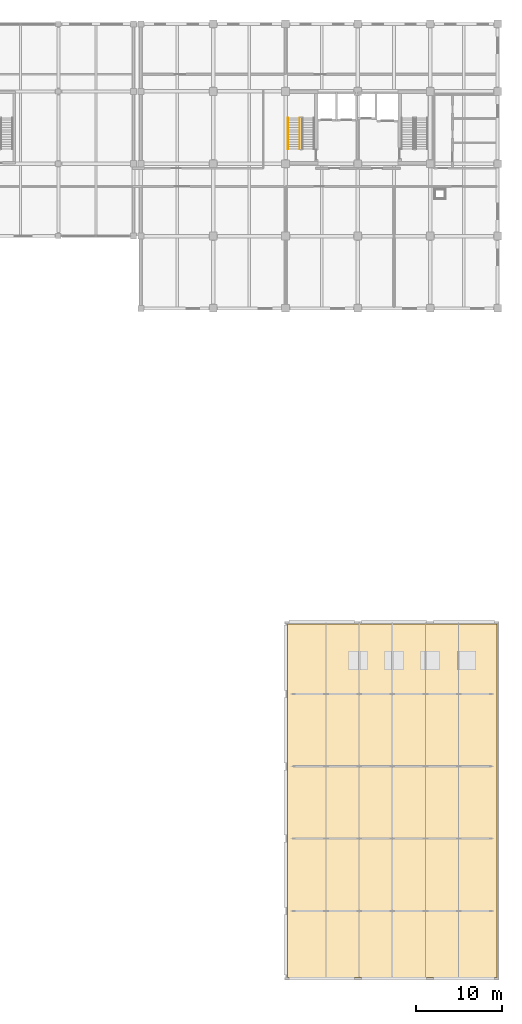
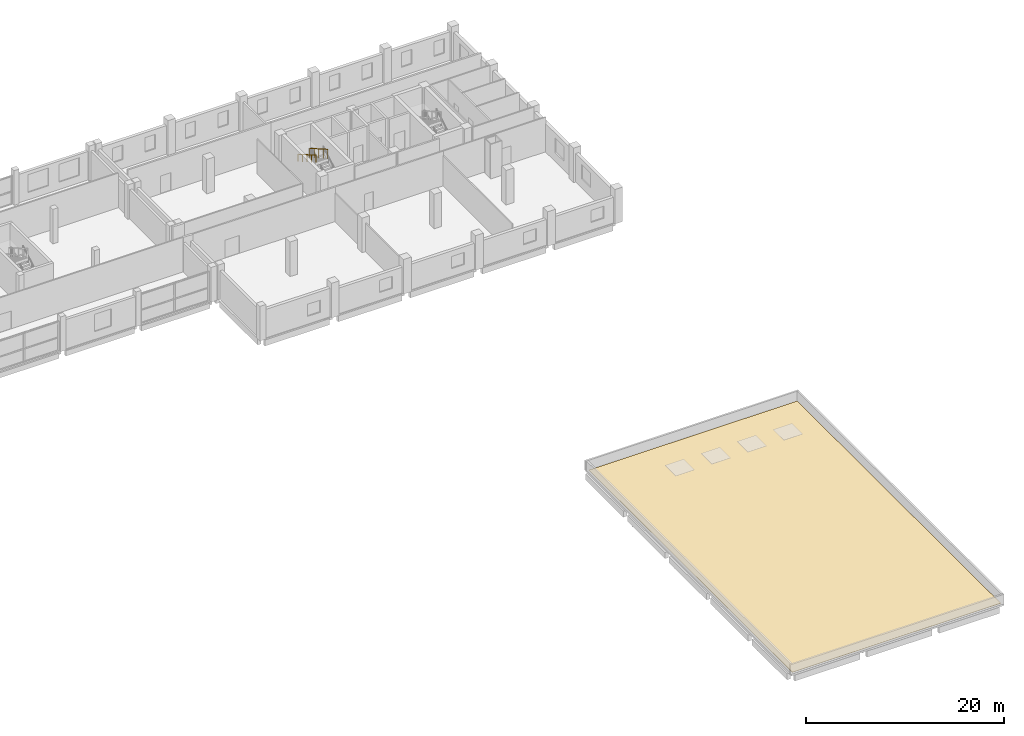
# One storey, part 37 of 38: 2 railings, 1 covering.
"""IFC4 building model written with IfcOpenShell, lengths in metres."""

from ifc_helpers import new_model, si_unit, direction, frame, origin, origin_2d, place, context, subcontext, project, spatial, polyline, circle, outline, extrude, material, layer, layer_set, type_object, element, save


model = new_model("IFC4")

# Units and contexts
model_context = context("Model", 3, precision=1e-05, world=origin(), true_north=direction((0.0, 1.0)))
body_context = subcontext(model_context, "Body", "Model", "MODEL_VIEW")
ifc_project = project(units=[si_unit("LENGTHUNIT", "METRE"), si_unit("AREAUNIT", "SQUARE_METRE"), si_unit("VOLUMEUNIT", "CUBIC_METRE"), si_unit("PLANEANGLEUNIT", "RADIAN"), si_unit("MASSUNIT", "GRAM", prefix="KILO")], contexts=[model_context])

# Site, building, storey
site_placement = place(None, origin())
site = spatial("IfcSite", under=ifc_project, at=site_placement, CompositionType="ELEMENT")
building_placement = place(site_placement, origin())
building = spatial("IfcBuilding", under=site, at=building_placement, Name="Brinegate Botanical Conservatory", CompositionType="ELEMENT")
storey_placement = place(building_placement, frame((0.0, 0.0, 10.199951171875)))
storey = spatial("IfcBuildingStorey", under=building, at=storey_placement, Name="L03", CompositionType="ELEMENT", Elevation=10.199951171875)

# Covering
ifc_material_1 = material(Name="Thermoplastic polyolefin waterproofing membrane & rigid insulation", Category="membrane")
ifc_layer = layer(ifc_material_1, 0.02490234375, Name="Thermoplastic polyolefin waterproofing membrane & rigid insulation", Category="membrane")
ifc_layer_set = layer_set([ifc_layer], Name="Thermoplastic polyolefin waterproofing membrane & rigid insulation")
covering_type = type_object("IfcCoveringType", Name="Cov_ROF-MEM", PredefinedType="ROOFING", material=ifc_layer_set)
covering_placement = place(storey_placement, origin())
element("IfcCovering", 1, at=covering_placement, inside=storey, type_object=covering_type, Name="Auditorium roof membrane", PredefinedType="ROOFING", context=body_context, shape_type="SweptSolid", body=[
    extrude(outline(polyline([(139.050048828125, 0.64990234375), (163.35009765625, 0.64990234375), (163.35009765625, 41.75), (139.050048828125, 41.75), (139.050048828125, 0.64990234375)])), origin(), (0.0, 0.0, 1.0), 0.025146484375),
])

# Railings
ifc_material_2 = material(Name="Structural steel Q355B / S355 painted tubular guardrail", Category="steel")
railing_type_1 = type_object("IfcRailingType", Name="Rail_ST-GRD", PredefinedType="GUARDRAIL", material=ifc_material_2)
railing_1_placement = place(storey_placement, frame((140.449951171875, 100.5400390625, 2.41064453125)))
element("IfcRailing", 2, at=railing_1_placement, inside=storey, type_object=railing_type_1, Name="L03 ST1 stair guard 3", PredefinedType="GUARDRAIL", context=body_context, shape_type="SweptSolid", body=[
    extrude(circle(Radius=0.02392578125, at=origin_2d()), frame((0.0, 0.0, 1.1259765625), z_axis=(0.0, -0.867289372828, 0.497804322781), x_axis=(1.0, 0.0, 0.0)), (0.0, 0.0, 1.0), 4.197021484375),
    extrude(circle(Radius=0.02099609375, at=origin_2d()), origin(), (0.0, 0.0, 1.0), 1.101806640625),
    extrude(circle(Radius=0.02099609375, at=origin_2d()), frame((0.0, -0.91015625, 0.5224609375)), (0.0, 0.0, 1.0), 1.101806640625),
    extrude(circle(Radius=0.02099609375, at=origin_2d()), frame((0.0, -1.820068359375, 1.044677734375)), (0.0, 0.0, 1.0), 1.101806640625),
    extrude(circle(Radius=0.02099609375, at=origin_2d()), frame((0.0, -2.72998046875, 1.56689453125)), (0.0, 0.0, 1.0), 1.101806640625),
    extrude(circle(Radius=0.02099609375, at=origin_2d()), frame((0.0, -3.64013671875, 2.08935546875)), (0.0, 0.0, 1.0), 1.101806640625),
])
ifc_material_3 = material(Name="Brushed stainless steel S355 handrail", Category="steel")
railing_type_2 = type_object("IfcRailingType", Name="Rail_ST-HND", PredefinedType="HANDRAIL", material=ifc_material_3)
railing_2_placement = place(storey_placement, frame((139.10009765625, 100.5400390625, 2.41064453125)))
element("IfcRailing", 3, at=railing_2_placement, inside=storey, type_object=railing_type_2, Name="L03 ST1 stair handrail 2", PredefinedType="HANDRAIL", context=body_context, shape_type="SweptSolid", body=[
    extrude(circle(Radius=0.02392578125, at=origin_2d()), frame((0.0, 0.0, 0.8759765625), z_axis=(0.0, -0.867289372828, 0.497804322781), x_axis=(1.0, 0.0, 0.0)), (0.0, 0.0, 1.0), 4.197021484375),
    extrude(circle(Radius=0.02099609375, at=origin_2d()), origin(), (0.0, 0.0, 1.0), 0.851806640625),
    extrude(circle(Radius=0.02099609375, at=origin_2d()), frame((0.0, -0.91015625, 0.5224609375)), (0.0, 0.0, 1.0), 0.851806640625),
    extrude(circle(Radius=0.02099609375, at=origin_2d()), frame((0.0, -1.820068359375, 1.044677734375)), (0.0, 0.0, 1.0), 0.851806640625),
    extrude(circle(Radius=0.02099609375, at=origin_2d()), frame((0.0, -2.72998046875, 1.56689453125)), (0.0, 0.0, 1.0), 0.851806640625),
    extrude(circle(Radius=0.02099609375, at=origin_2d()), frame((0.0, -3.64013671875, 2.08935546875)), (0.0, 0.0, 1.0), 0.851806640625),
])

save(model, "model.ifc")
